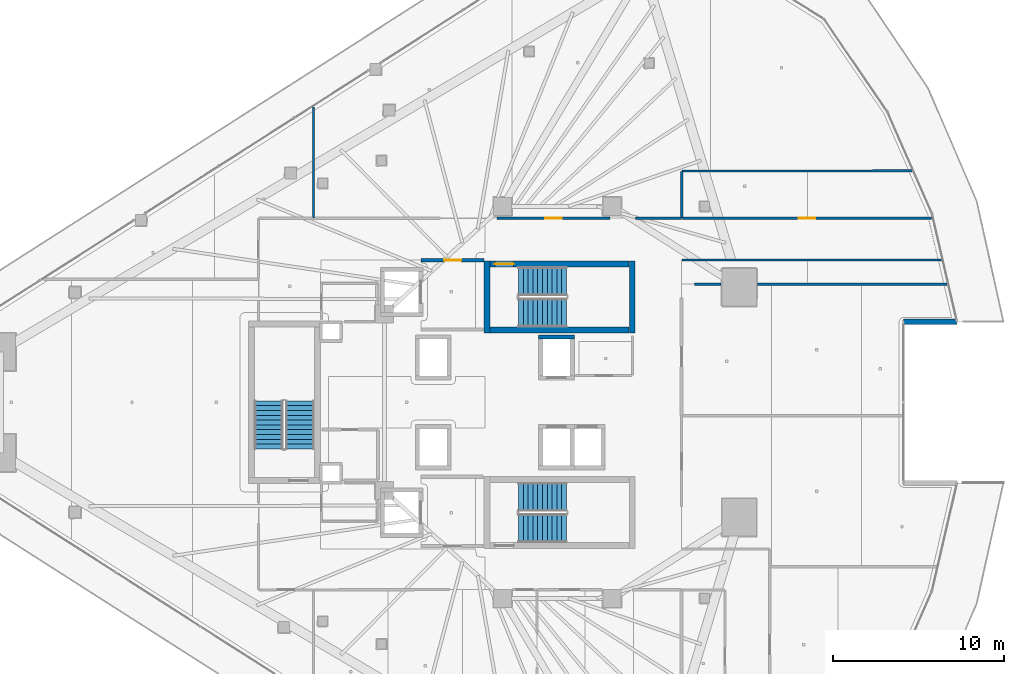
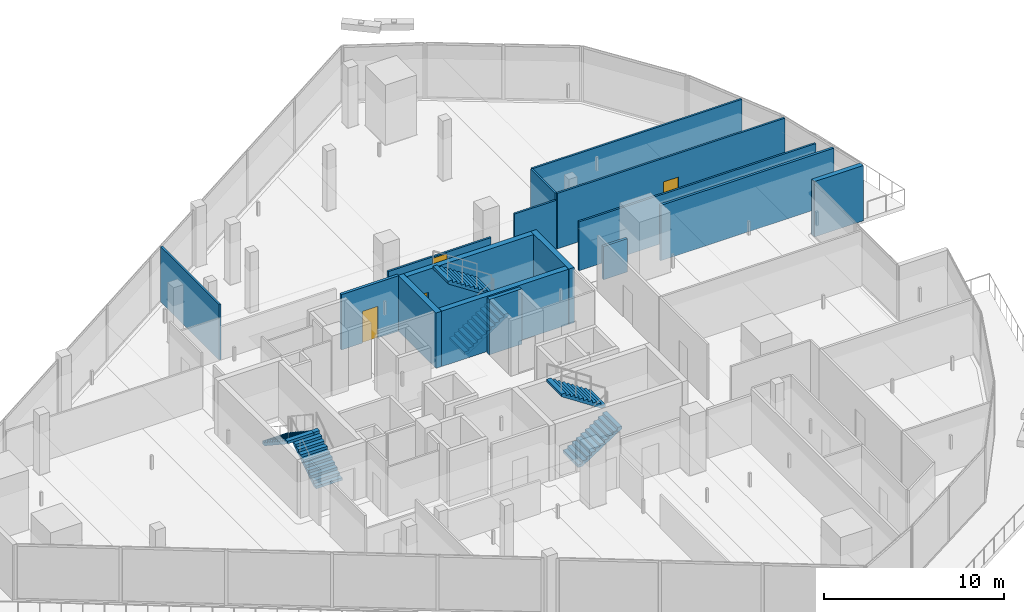
# One storey, part 26 of 36: 16 walls, 6 stair flights, 4 doors, 4 openings, 3 elements without a shape of their own.
"""IFC4 building model written with IfcOpenShell, lengths in metres."""

from ifc_helpers import new_model, si_unit, direction, frame, frame_2d, origin, place, context, subcontext, project, spatial, polyline, rectangle, outline, extrude, material, layer, layer_set, type_object, element, fill, aggregate, save


model = new_model("IFC4")

# Units and contexts
model_context = context("Model", 3, precision=1e-05, world=origin(), true_north=direction((0.0, 1.0)))
body_context = subcontext(model_context, "Body", "Model", "MODEL_VIEW")
ifc_project = project(units=[si_unit("LENGTHUNIT", "METRE"), si_unit("AREAUNIT", "SQUARE_METRE"), si_unit("VOLUMEUNIT", "CUBIC_METRE"), si_unit("PLANEANGLEUNIT", "RADIAN"), si_unit("MASSUNIT", "GRAM", prefix="KILO")], contexts=[model_context])

# Site, building, storey
site_placement = place(None, origin())
site = spatial("IfcSite", under=ifc_project, at=site_placement, CompositionType="ELEMENT")
building_placement = place(site_placement, origin())
building = spatial("IfcBuilding", under=site, at=building_placement, Name="Qorvath Tower", CompositionType="ELEMENT")
storey_placement = place(building_placement, frame((0.0, 0.0, 170.550048828125)))
storey = spatial("IfcBuildingStorey", under=building, at=storey_placement, Name="L39", CompositionType="ELEMENT", Elevation=170.550048828125)

# Wall, opening, door
ifc_material_1 = material(Name="Gypsum shaftliner on steel studs", Category="steel")
ifc_layer_1 = layer(ifc_material_1, 0.179931640625)
ifc_layer_set_1 = layer_set([ifc_layer_1], Name="FW-LOBBY")
wall_type_1 = type_object("IfcWallType", Name="FW-LOBBY", PredefinedType="PARTITIONING", material=ifc_layer_set_1)
wall_1_placement = place(storey_placement, frame((-24.68408203125, 8.300048828125, 0.0), z_axis=(0.0, 0.0, 1.0), x_axis=(-1.0, 0.0, 0.0)))
wall_1 = element("IfcWall", 1, at=wall_1_placement, inside=storey, type_object=wall_type_1, Name="Interior Partition IW-T1-L39-002", PredefinedType="PARTITIONING", context=body_context, shape_type="SweptSolid", body=[
    extrude(rectangle(XDim=3.6708984375, YDim=0.179931640625, at=frame_2d((1.83544921875, 0.0))), origin(), (0.0, 0.0, 1.0), 3.75),
])
opening_1_placement = place(wall_1_placement, frame((1.33544921875, 0.0, 0.0)))
opening_1 = element("IfcOpeningElement", 2, at=opening_1_placement, cuts=wall_1, Name="Opening D-T1-L39-14", PredefinedType="OPENING", context=body_context, shape_type="SweptSolid", body=[
    extrude(rectangle(XDim=1.0, YDim=2.14990234375, at=frame_2d((0.5, 1.074951171875))), frame((0.0, 0.10009765625, 0.0), z_axis=(0.0, -1.0, 0.0), x_axis=(1.0, 0.0, 0.0)), (0.0, 0.0, 1.0), 0.199951171875),
])
ifc_material_2 = material(Name="Painted galvanised hollow metal", Category="steel")
door_type_1 = type_object("IfcDoorType", Name="FD-60", OperationType="NOTDEFINED", PredefinedType="DOOR", material=ifc_material_2)
door_1_placement = place(opening_1_placement, origin())
door_1 = element("IfcDoor", 3, at=door_1_placement, inside=storey, type_object=door_type_1, Name="Lobby Fire Service Elevator North Door D-T1-L39-14", OperationType="SINGLE_SWING_LEFT", OverallHeight=2.14990234375, OverallWidth=1.0, PredefinedType="DOOR", context=body_context, shape_type="SweptSolid", body=[
    extrude(rectangle(XDim=1.0, YDim=2.14990234375, at=frame_2d((0.5, 1.074951171875))), frame((0.0, 0.02490234375, 0.0), z_axis=(0.0, -1.0, 0.0), x_axis=(1.0, 0.0, 0.0)), (0.0, 0.0, 1.0), 0.050048828125),
])
fill(opening_1, door_1)

# Walls
ifc_material_3 = material(Name="Double acoustic gypsum board on steel studs", Category="steel")
ifc_layer_2 = layer(ifc_material_3, 0.159912109375)
ifc_layer_set_2 = layer_set([ifc_layer_2], Name="IW-ACOUSTIC-160")
wall_type_2 = type_object("IfcWallType", Name="IW-ACOUSTIC-160", PredefinedType="PARTITIONING", material=ifc_layer_set_2)
wall_2_placement = place(storey_placement, frame((2.3662109375, 6.9052734375, 0.0), z_axis=(0.0, 0.0, 1.0), x_axis=(-1.0, 0.0, 0.0)))
element("IfcWall", 4, at=wall_2_placement, inside=storey, type_object=wall_type_2, Name="Interior Partition IW-T1-L39-045", PredefinedType="PARTITIONING", context=body_context, shape_type="SweptSolid", body=[
    extrude(rectangle(XDim=11.071533203125, YDim=0.159912109375, at=frame_2d((5.53564453125, 0.0))), origin(), (0.0, 0.0, 1.0), 3.75),
])
wall_3_placement = place(storey_placement, frame((-10.835205078125, 6.9052734375, 0.0), z_axis=(0.0, 0.0, 1.0), x_axis=(-1.0, 0.0, 0.0)))
element("IfcWall", 5, at=wall_3_placement, inside=storey, type_object=wall_type_2, Name="Interior Partition IW-T1-L39-046", PredefinedType="PARTITIONING", context=body_context, shape_type="SweptSolid", body=[
    extrude(rectangle(XDim=1.5400390625, YDim=0.159912109375, at=frame_2d((0.77001953125, 0.0))), origin(), (0.0, 0.0, 1.0), 2.25),
])
ifc_material_4 = material(Name="Gypsum board on metal studs with mineral wool", Category="gypsum")
ifc_layer_3 = layer(ifc_material_4, 0.125)
ifc_layer_set_3 = layer_set([ifc_layer_3], Name="IW-PART-125")
wall_type_3 = type_object("IfcWallType", Name="IW-PART-125", PredefinedType="PARTITIONING", material=ifc_layer_set_3)
wall_4_placement = place(storey_placement, frame((-34.64990234375, 17.247802734375, 0.0), z_axis=(0.0, 0.0, 1.0), x_axis=(0.0, -1.0, 0.0)))
element("IfcWall", 6, at=wall_4_placement, inside=storey, type_object=wall_type_3, Name="Interior Partition IW-T1-L39-018", PredefinedType="PARTITIONING", context=body_context, shape_type="SweptSolid", body=[
    extrude(rectangle(XDim=6.464599609375, YDim=0.125, at=frame_2d((3.232421875, 0.0))), origin(), (0.0, 0.0, 1.0), 3.75),
])

# Wall, opening, door
wall_5_placement = place(storey_placement, frame((-23.9189453125, 10.758056640625, 0.0), z_axis=(0.0, 0.0, 1.0), x_axis=(1.0, 0.0, 0.0)))
wall_5 = element("IfcWall", 7, at=wall_5_placement, inside=storey, type_object=wall_type_3, Name="Interior Partition IW-T1-L39-020", PredefinedType="PARTITIONING", context=body_context, shape_type="SweptSolid", body=[
    extrude(rectangle(XDim=6.589111328125, YDim=0.125, at=frame_2d((3.29443359375, 0.0))), origin(), (0.0, 0.0, 1.0), 2.25),
])
opening_2_placement = place(wall_5_placement, frame((2.819580078125, 0.0, 0.0)))
opening_2 = element("IfcOpeningElement", 8, at=opening_2_placement, cuts=wall_5, Name="Opening D-T1-L39-05", PredefinedType="OPENING", context=body_context, shape_type="SweptSolid", body=[
    extrude(rectangle(XDim=0.949951171875, YDim=2.14990234375, at=frame_2d((0.47509765625, 1.074951171875))), frame((0.0, 0.072509765625, 0.0), z_axis=(0.0, -1.0, 0.0), x_axis=(1.0, 0.0, 0.0)), (0.0, 0.0, 1.0), 0.14501953125),
])
ifc_material_5 = material(Name="Solid-core American white oak veneer", Category="wood")
door_type_2 = type_object("IfcDoorType", Name="D-01", OperationType="NOTDEFINED", PredefinedType="DOOR", material=ifc_material_5)
door_2_placement = place(opening_2_placement, origin())
door_2 = element("IfcDoor", 9, at=door_2_placement, inside=storey, type_object=door_type_2, Name="L39-01 Staff Refreshment Pantry and Coffee Bar Door D-T1-L39-05", OperationType="SINGLE_SWING_RIGHT", OverallHeight=2.14990234375, OverallWidth=0.949951171875, PredefinedType="DOOR", context=body_context, shape_type="SweptSolid", body=[
    extrude(rectangle(XDim=0.949951171875, YDim=2.14990234375, at=frame_2d((0.47509765625, 1.074951171875))), frame((0.0, 0.02490234375, 0.0), z_axis=(0.0, -1.0, 0.0), x_axis=(1.0, 0.0, 0.0)), (0.0, 0.0, 1.0), 0.050048828125),
])
fill(opening_2, door_2)

# Walls
wall_6_placement = place(storey_placement, frame((-15.829345703125, 10.758056640625, 0.0), z_axis=(0.0, 0.0, 1.0), x_axis=(1.0, 0.0, 0.0)))
element("IfcWall", 10, at=wall_6_placement, inside=storey, type_object=wall_type_3, Name="Interior Partition IW-T1-L39-021", PredefinedType="PARTITIONING", context=body_context, shape_type="SweptSolid", body=[
    extrude(rectangle(XDim=2.674560546875, YDim=0.125, at=frame_2d((1.33740234375, 0.0))), origin(), (0.0, 0.0, 1.0), 3.313720703125),
])
wall_7_placement = place(storey_placement, frame((-13.1298828125, 10.783203125, 0.0), z_axis=(0.0, 0.0, 1.0), x_axis=(-9.0195724e-05, 0.999999995932, 0.0)))
element("IfcWall", 11, at=wall_7_placement, inside=storey, type_object=wall_type_3, Name="Interior Partition IW-T1-L39-022", PredefinedType="PARTITIONING", context=body_context, shape_type="SweptSolid", body=[
    extrude(rectangle(XDim=2.706787109375, YDim=0.125, at=frame_2d((1.353515625, 0.0))), origin(), (0.0, 0.0, 1.0), 3.75),
])
wall_8_placement = place(storey_placement, frame((-13.10498046875, 13.514892578125, 0.0), z_axis=(0.0, 0.0, 1.0), x_axis=(0.999999552652, 0.00094588407, 0.0)))
element("IfcWall", 12, at=wall_8_placement, inside=storey, type_object=wall_type_3, Name="Interior Partition IW-T1-L39-023", PredefinedType="PARTITIONING", context=body_context, shape_type="SweptSolid", body=[
    extrude(rectangle(XDim=13.421630859375, YDim=0.125, at=frame_2d((6.7109375, 0.0))), origin(), (0.0, 0.0, 1.0), 3.75),
])

# Wall, opening, door
wall_9_placement = place(storey_placement, frame((1.47314453125, 10.758056640625, 0.0), z_axis=(0.0, 0.0, 1.0), x_axis=(-1.0, 0.0, 0.0)))
wall_9 = element("IfcWall", 13, at=wall_9_placement, inside=storey, type_object=wall_type_3, Name="Interior Partition IW-T1-L39-048", PredefinedType="PARTITIONING", context=body_context, shape_type="SweptSolid", body=[
    extrude(rectangle(XDim=14.5703125, YDim=0.125, at=frame_2d((7.28515625, 0.0))), origin(), (0.0, 0.0, 1.0), 3.75),
])
opening_3_placement = place(wall_9_placement, frame((6.81005859375, 0.0, 0.0)))
opening_3 = element("IfcOpeningElement", 14, at=opening_3_placement, cuts=wall_9, Name="Opening D-T1-L39-10", PredefinedType="OPENING", context=body_context, shape_type="SweptSolid", body=[
    extrude(rectangle(XDim=0.949951171875, YDim=2.14990234375, at=frame_2d((0.47509765625, 1.074951171875))), frame((0.0, 0.072509765625, 0.0), z_axis=(0.0, -1.0, 0.0), x_axis=(1.0, 0.0, 0.0)), (0.0, 0.0, 1.0), 0.14501953125),
])
door_3_placement = place(opening_3_placement, origin())
door_3 = element("IfcDoor", 15, at=door_3_placement, inside=storey, type_object=door_type_2, Name="L39-09 Focus Collaboration Pod Door D-T1-L39-10", OperationType="SINGLE_SWING_LEFT", OverallHeight=2.14990234375, OverallWidth=0.949951171875, PredefinedType="DOOR", context=body_context, shape_type="SweptSolid", body=[
    extrude(rectangle(XDim=0.949951171875, YDim=2.14990234375, at=frame_2d((0.47509765625, 1.074951171875))), frame((0.0, 0.02490234375, 0.0), z_axis=(0.0, -1.0, 0.0), x_axis=(1.0, 0.0, 0.0)), (0.0, 0.0, 1.0), 0.050048828125),
])
fill(opening_3, door_3)

# Walls
wall_10_placement = place(storey_placement, frame((-13.1171875, 8.31201171875, 0.0), z_axis=(0.0, 0.0, 1.0), x_axis=(1.0, 0.0, 0.0)))
element("IfcWall", 16, at=wall_10_placement, inside=storey, type_object=wall_type_3, Name="Interior Partition IW-T1-L39-049", PredefinedType="PARTITIONING", context=body_context, shape_type="SweptSolid", body=[
    extrude(rectangle(XDim=15.1572265625, YDim=0.125, at=frame_2d((7.57861328125, 0.0))), origin(), (0.0, 0.0, 1.0), 3.313720703125),
])
ifc_material_6 = material(Name="Concrete C60/75", Category="concrete")
ifc_layer_4 = layer(ifc_material_6, 0.260009765625)
ifc_layer_set_4 = layer_set([ifc_layer_4], Name="SW-SHAFT")
wall_type_4 = type_object("IfcWallType", Name="SW-SHAFT", PredefinedType="SHEAR", material=ifc_layer_set_4)
wall_11_placement = place(storey_placement, frame((-21.489990234375, 3.820068359375, 0.0), z_axis=(0.0, 0.0, 1.0), x_axis=(1.0, 0.0, 0.0)))
element("IfcWall", 17, at=wall_11_placement, inside=storey, type_object=wall_type_4, Name="Hoistway Wall PM-1 L39 N", PredefinedType="SHEAR", context=body_context, shape_type="SweptSolid", body=[
    extrude(rectangle(XDim=2.080078125, YDim=0.239990234375, at=frame_2d((1.0400390625, 0.0))), origin(), (0.0, 0.0, 1.0), 3.75),
])
ifc_material_7 = material(Name="Concrete C60/75", Category="concrete")
ifc_layer_5 = layer(ifc_material_7, 0.35009765625)
ifc_layer_set_5 = layer_set([ifc_layer_5], Name="SW-STAIR")
wall_type_5 = type_object("IfcWallType", Name="SW-STAIR", PredefinedType="SHEAR", material=ifc_layer_set_5)
for number, where, z_axis, x_axis, name in (
    (18, (-24.52490234375, 8.260009765625, 0.0), (0.0, 0.0, 1.0), (0.0, -1.0, 0.0), "Stair TS1 Shear Wall L39 NEAR"),
    (19, (-16.02490234375, 4.050048828125, 0.0), (0.0, 0.0, 1.0), (0.0, 1.0, 0.0), "Stair TS1 Shear Wall L39 FAR"),
):
    element("IfcWall", number, at=place(storey_placement, frame(where, z_axis=z_axis, x_axis=x_axis)), inside=storey, type_object=wall_type_5, Name=name, PredefinedType="SHEAR", context=body_context, shape_type="SweptSolid", body=[
        extrude(rectangle(XDim=4.2099609375, YDim=0.35009765625, at=frame_2d((2.10498046875, 0.0))), origin(), (0.0, 0.0, 1.0), 3.75),
    ])
wall_12_placement = place(storey_placement, frame((-24.3349609375, 4.22509765625, 0.0), z_axis=(0.0, 0.0, 1.0), x_axis=(1.0, 0.0, 0.0)))
element("IfcWall", 20, at=wall_12_placement, inside=storey, type_object=wall_type_5, Name="Stair TS1 Shear Wall L39 LEFT", PredefinedType="SHEAR", context=body_context, shape_type="SweptSolid", body=[
    extrude(rectangle(XDim=8.119873046875, YDim=0.35009765625, at=frame_2d((4.06005859375, 0.0))), origin(), (0.0, 0.0, 1.0), 3.75),
])

# Wall, opening, door
wall_13_placement = place(storey_placement, frame((-16.215087890625, 8.0849609375, 0.0), z_axis=(0.0, 0.0, 1.0), x_axis=(-1.0, 0.0, 0.0)))
wall_13 = element("IfcWall", 21, at=wall_13_placement, inside=storey, type_object=wall_type_5, Name="Stair TS1 Shear Wall L39 RIGHT", PredefinedType="SHEAR", context=body_context, shape_type="SweptSolid", body=[
    extrude(rectangle(XDim=8.119873046875, YDim=0.35009765625, at=frame_2d((4.06005859375, 0.0))), origin(), (0.0, 0.0, 1.0), 3.75),
])
opening_4_placement = place(wall_13_placement, frame((6.739990234375, 0.0, 0.0)))
opening_4 = element("IfcOpeningElement", 22, at=opening_4_placement, cuts=wall_13, Name="Opening D-TS1-L39", PredefinedType="OPENING", context=body_context, shape_type="SweptSolid", body=[
    extrude(rectangle(XDim=1.10009765625, YDim=2.199951171875, at=frame_2d((0.550048828125, 1.10009765625))), frame((0.0, 0.18505859375, 0.0), z_axis=(0.0, -1.0, 0.0), x_axis=(1.0, 0.0, 0.0)), (0.0, 0.0, 1.0), 0.3701171875),
])
ifc_material_8 = material(Name="Painted galvanised hollow metal", Category="steel")
door_type_3 = type_object("IfcDoorType", Name="FD-90", OperationType="NOTDEFINED", PredefinedType="DOOR", material=ifc_material_8)
door_4_placement = place(opening_4_placement, origin())
door_4 = element("IfcDoor", 23, at=door_4_placement, inside=storey, type_object=door_type_3, Name="Stair TS1 Fire Door L39", OperationType="SINGLE_SWING_RIGHT", OverallHeight=2.199951171875, OverallWidth=1.10009765625, PredefinedType="DOOR", context=body_context, shape_type="SweptSolid", body=[
    extrude(rectangle(XDim=1.10009765625, YDim=2.199951171875, at=frame_2d((0.550048828125, 1.10009765625))), frame((0.0, 0.02490234375, 0.0), z_axis=(0.0, -1.0, 0.0), x_axis=(1.0, 0.0, 0.0)), (0.0, 0.0, 1.0), 0.050048828125),
])
fill(opening_4, door_4)

# Wall
ifc_material_9 = material(Name="Precast concrete C45/55", Category="concrete")
ifc_layer_6 = layer(ifc_material_9, 0.300048828125)
ifc_layer_set_6 = layer_set([ifc_layer_6], Name="WL-EW-LOG-300")
wall_type_6 = type_object("IfcWallType", Name="WL-EW-LOG-300", PredefinedType="SOLIDWALL", material=ifc_layer_set_6)
wall_14_placement = place(storey_placement, frame((-0.183837890625, 4.708740234375, 0.0), z_axis=(0.0, 0.0, 1.0), x_axis=(1.0, 0.0, 0.0)))
element("IfcWall", 24, at=wall_14_placement, inside=storey, type_object=wall_type_6, Name="Tower Precast Loggia Wall L39-10.1", PredefinedType="SOLIDWALL", context=body_context, shape_type="SweptSolid", body=[
    extrude(rectangle(XDim=3.13916015625, YDim=0.300048828125, at=frame_2d((1.569580078125, 0.0))), origin(), (0.0, 0.0, 1.0), 3.75),
])

# Stair, stair flights
ifc_material_10 = material(Name="Concrete C50/60", Category="concrete")
stair_type = type_object("IfcStairType", Name="ST-H405", PredefinedType="HALF_TURN_STAIR", material=ifc_material_10)
stair_1_placement = place(storey_placement, origin())
stair_1 = element("IfcStair", 25, at=stair_1_placement, inside=storey, type_object=stair_type, Name="L39 Tower Exit Stair 1", PredefinedType="HALF_TURN_STAIR")
ifc_material_11 = material(Name="Concrete C50/60", Category="concrete")
ifc_layer_7 = layer(ifc_material_11, 0.14990234375)
ifc_layer_set_7 = layer_set([ifc_layer_7], Name="SF-H405")
stair_flight_type = type_object("IfcStairFlightType", Name="SF-H405", PredefinedType="STRAIGHT", material=ifc_layer_set_7)
stair_flight_1_placement = place(storey_placement, frame((-22.669921875, 5.239990234375, 0.0), z_axis=(0.0, 0.0, 1.0), x_axis=(1.0, 0.0, 0.0)))
stair_flight_1 = element("IfcStairFlight", 26, at=stair_flight_1_placement, type_object=stair_flight_type, Name="TS1 flight 1", NumberOfRisers=11, NumberOfTreads=10, PredefinedType="STRAIGHT", RiserHeight=0.184090909, TreadLength=0.28, context=body_context, shape_type="SweptSolid", body=[
    extrude(outline(polyline([(0.0, 0.0), (0.0, 0.18408203125), (0.280029296875, 0.18408203125), (0.280029296875, 0.3681640625), (0.56005859375, 0.3681640625), (0.56005859375, 0.55224609375), (0.840087890625, 0.55224609375), (0.840087890625, 0.736328125), (1.1201171875, 0.736328125), (1.1201171875, 0.92041015625), (1.39990234375, 0.92041015625), (1.39990234375, 1.1044921875), (1.679931640625, 1.1044921875), (1.679931640625, 1.28857421875), (1.9599609375, 1.28857421875), (1.9599609375, 1.47265625), (2.239990234375, 1.47265625), (2.239990234375, 1.65673828125), (2.52001953125, 1.65673828125), (2.52001953125, 1.8408203125), (2.800048828125, 1.8408203125), (2.800048828125, 2.02490234375), (2.800048828125, 1.66162109375), (0.27294921875, 0.0), (0.0, 0.0)])), frame((0.0, 0.83984375, 0.0), z_axis=(0.0, -1.0, 0.0), x_axis=(1.0, 0.0, 0.0)), (0.0, 0.0, 1.0), 1.679931640625),
])
stair_flight_2_placement = place(storey_placement, frame((-19.8701171875, 7.070068359375, 2.02490234375), z_axis=(0.0, 0.0, 1.0), x_axis=(-1.0, 0.0, 0.0)))
stair_flight_2 = element("IfcStairFlight", 27, at=stair_flight_2_placement, type_object=stair_flight_type, Name="TS1 flight 2", NumberOfRisers=11, NumberOfTreads=10, PredefinedType="STRAIGHT", RiserHeight=0.184090909, TreadLength=0.28, context=body_context, shape_type="SweptSolid", body=[
    extrude(outline(polyline([(0.0, 0.0), (0.0, 0.18408203125), (0.280029296875, 0.18408203125), (0.280029296875, 0.3681640625), (0.56005859375, 0.3681640625), (0.56005859375, 0.55224609375), (0.840087890625, 0.55224609375), (0.840087890625, 0.736328125), (1.1201171875, 0.736328125), (1.1201171875, 0.92041015625), (1.39990234375, 0.92041015625), (1.39990234375, 1.1044921875), (1.679931640625, 1.1044921875), (1.679931640625, 1.28857421875), (1.9599609375, 1.28857421875), (1.9599609375, 1.47265625), (2.239990234375, 1.47265625), (2.239990234375, 1.65673828125), (2.52001953125, 1.65673828125), (2.52001953125, 1.8408203125), (2.800048828125, 1.8408203125), (2.800048828125, 2.02490234375), (2.800048828125, 1.66162109375), (0.27294921875, 0.0), (0.0, 0.0)])), frame((0.0, 0.83984375, 0.0), z_axis=(0.0, -1.0, 0.0), x_axis=(1.0, 0.0, 0.0)), (0.0, 0.0, 1.0), 1.679931640625),
])
aggregate(stair_1, [stair_flight_1, stair_flight_2])

stair_2_placement = place(storey_placement, origin())
stair_2 = element("IfcStair", 28, at=stair_2_placement, inside=storey, type_object=stair_type, Name="L39 Tower Exit Stair 2", PredefinedType="HALF_TURN_STAIR")
stair_flight_3_placement = place(storey_placement, frame((-22.669921875, -7.360107421875, 0.0), z_axis=(0.0, 0.0, 1.0), x_axis=(1.0, 0.0, 0.0)))
stair_flight_3 = element("IfcStairFlight", 29, at=stair_flight_3_placement, type_object=stair_flight_type, Name="TS2 flight 1", NumberOfRisers=11, NumberOfTreads=10, PredefinedType="STRAIGHT", RiserHeight=0.184090909, TreadLength=0.28, context=body_context, shape_type="SweptSolid", body=[
    extrude(outline(polyline([(0.0, 0.0), (0.0, 0.18408203125), (0.280029296875, 0.18408203125), (0.280029296875, 0.3681640625), (0.56005859375, 0.3681640625), (0.56005859375, 0.55224609375), (0.840087890625, 0.55224609375), (0.840087890625, 0.736328125), (1.1201171875, 0.736328125), (1.1201171875, 0.92041015625), (1.39990234375, 0.92041015625), (1.39990234375, 1.1044921875), (1.679931640625, 1.1044921875), (1.679931640625, 1.28857421875), (1.9599609375, 1.28857421875), (1.9599609375, 1.47265625), (2.239990234375, 1.47265625), (2.239990234375, 1.65673828125), (2.52001953125, 1.65673828125), (2.52001953125, 1.8408203125), (2.800048828125, 1.8408203125), (2.800048828125, 2.02490234375), (2.800048828125, 1.66162109375), (0.27294921875, 0.0), (0.0, 0.0)])), frame((0.0, 0.83984375, 0.0), z_axis=(0.0, -1.0, 0.0), x_axis=(1.0, 0.0, 0.0)), (0.0, 0.0, 1.0), 1.679931640625),
])
stair_flight_4_placement = place(storey_placement, frame((-19.8701171875, -5.530029296875, 2.02490234375), z_axis=(0.0, 0.0, 1.0), x_axis=(-1.0, 0.0, 0.0)))
stair_flight_4 = element("IfcStairFlight", 30, at=stair_flight_4_placement, type_object=stair_flight_type, Name="TS2 flight 2", NumberOfRisers=11, NumberOfTreads=10, PredefinedType="STRAIGHT", RiserHeight=0.184090909, TreadLength=0.28, context=body_context, shape_type="SweptSolid", body=[
    extrude(outline(polyline([(0.0, 0.0), (0.0, 0.18408203125), (0.280029296875, 0.18408203125), (0.280029296875, 0.3681640625), (0.56005859375, 0.3681640625), (0.56005859375, 0.55224609375), (0.840087890625, 0.55224609375), (0.840087890625, 0.736328125), (1.1201171875, 0.736328125), (1.1201171875, 0.92041015625), (1.39990234375, 0.92041015625), (1.39990234375, 1.1044921875), (1.679931640625, 1.1044921875), (1.679931640625, 1.28857421875), (1.9599609375, 1.28857421875), (1.9599609375, 1.47265625), (2.239990234375, 1.47265625), (2.239990234375, 1.65673828125), (2.52001953125, 1.65673828125), (2.52001953125, 1.8408203125), (2.800048828125, 1.8408203125), (2.800048828125, 2.02490234375), (2.800048828125, 1.66162109375), (0.27294921875, 0.0), (0.0, 0.0)])), frame((0.0, 0.83984375, 0.0), z_axis=(0.0, -1.0, 0.0), x_axis=(1.0, 0.0, 0.0)), (0.0, 0.0, 1.0), 1.679931640625),
])
aggregate(stair_2, [stair_flight_3, stair_flight_4])

stair_3_placement = place(storey_placement, origin())
stair_3 = element("IfcStair", 31, at=stair_3_placement, inside=storey, type_object=stair_type, Name="L39 Tower Exit Stair 3", PredefinedType="HALF_TURN_STAIR")
stair_flight_5_placement = place(storey_placement, frame((-35.43994140625, -2.719970703125, 0.0), z_axis=(0.0, 0.0, 1.0), x_axis=(0.0, 1.0, 0.0)))
stair_flight_5 = element("IfcStairFlight", 32, at=stair_flight_5_placement, type_object=stair_flight_type, Name="TS3 flight 1", NumberOfRisers=11, NumberOfTreads=10, PredefinedType="STRAIGHT", RiserHeight=0.184090909, TreadLength=0.28, context=body_context, shape_type="SweptSolid", body=[
    extrude(outline(polyline([(0.0, 0.0), (0.0, 0.18408203125), (0.280029296875, 0.18408203125), (0.280029296875, 0.3681640625), (0.56005859375, 0.3681640625), (0.56005859375, 0.55224609375), (0.840087890625, 0.55224609375), (0.840087890625, 0.736328125), (1.1201171875, 0.736328125), (1.1201171875, 0.92041015625), (1.39990234375, 0.92041015625), (1.39990234375, 1.1044921875), (1.679931640625, 1.1044921875), (1.679931640625, 1.28857421875), (1.9599609375, 1.28857421875), (1.9599609375, 1.47265625), (2.239990234375, 1.47265625), (2.239990234375, 1.65673828125), (2.52001953125, 1.65673828125), (2.52001953125, 1.8408203125), (2.800048828125, 1.8408203125), (2.800048828125, 2.02490234375), (2.800048828125, 1.66162109375), (0.27294921875, 0.0), (0.0, 0.0)])), frame((0.0, 0.83984375, 0.0), z_axis=(0.0, -1.0, 0.0), x_axis=(1.0, 0.0, 0.0)), (0.0, 0.0, 1.0), 1.679931640625),
])
stair_flight_6_placement = place(storey_placement, frame((-37.27001953125, 0.080078125, 2.02490234375), z_axis=(0.0, 0.0, 1.0), x_axis=(0.0, -1.0, 0.0)))
stair_flight_6 = element("IfcStairFlight", 33, at=stair_flight_6_placement, type_object=stair_flight_type, Name="TS3 flight 2", NumberOfRisers=11, NumberOfTreads=10, PredefinedType="STRAIGHT", RiserHeight=0.184090909, TreadLength=0.28, context=body_context, shape_type="SweptSolid", body=[
    extrude(outline(polyline([(0.0, 0.0), (0.0, 0.18408203125), (0.280029296875, 0.18408203125), (0.280029296875, 0.3681640625), (0.56005859375, 0.3681640625), (0.56005859375, 0.55224609375), (0.840087890625, 0.55224609375), (0.840087890625, 0.736328125), (1.1201171875, 0.736328125), (1.1201171875, 0.92041015625), (1.39990234375, 0.92041015625), (1.39990234375, 1.1044921875), (1.679931640625, 1.1044921875), (1.679931640625, 1.28857421875), (1.9599609375, 1.28857421875), (1.9599609375, 1.47265625), (2.239990234375, 1.47265625), (2.239990234375, 1.65673828125), (2.52001953125, 1.65673828125), (2.52001953125, 1.8408203125), (2.800048828125, 1.8408203125), (2.800048828125, 2.02490234375), (2.800048828125, 1.66162109375), (0.27294921875, 0.0), (0.0, 0.0)])), frame((0.0, 0.83984375, 0.0), z_axis=(0.0, -1.0, 0.0), x_axis=(1.0, 0.0, 0.0)), (0.0, 0.0, 1.0), 1.679931640625),
])
aggregate(stair_3, [stair_flight_5, stair_flight_6])

save(model, "model.ifc")
